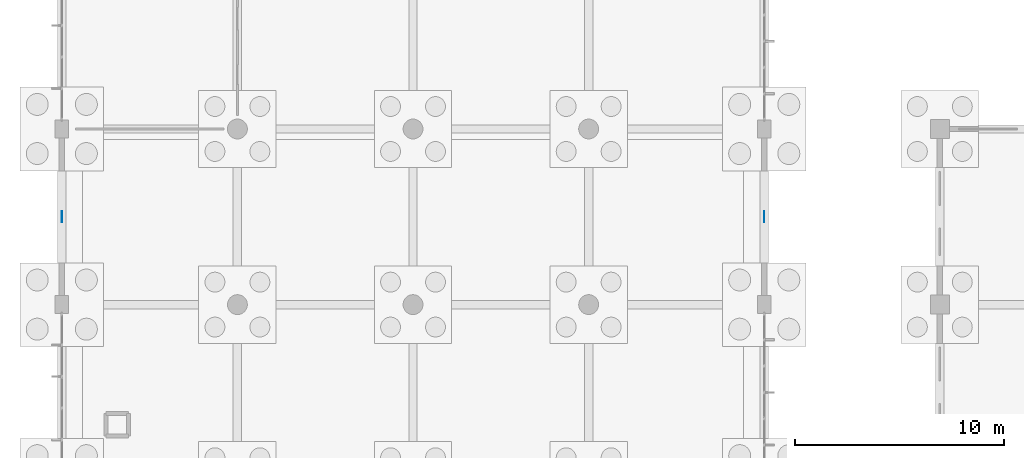
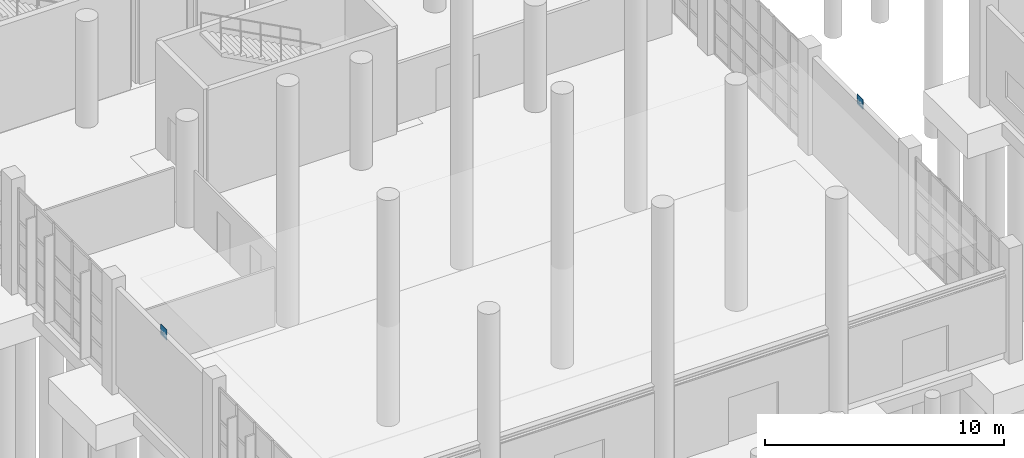
# One storey, part 47 of 83: 2 plates.
"""IFC4 building model written with IfcOpenShell, lengths in metres."""

from ifc_helpers import new_model, si_unit, direction, frame, origin, origin_2d, place, context, subcontext, project, spatial, rectangle, extrude, material, layer, layer_set, type_object, element, save


model = new_model("IFC4")

# Units and contexts
model_context = context("Model", 3, precision=1e-05, world=origin(), true_north=direction((0.0, 1.0)))
body_context = subcontext(model_context, "Body", "Model", "MODEL_VIEW")
ifc_project = project(units=[si_unit("LENGTHUNIT", "METRE"), si_unit("AREAUNIT", "SQUARE_METRE"), si_unit("VOLUMEUNIT", "CUBIC_METRE"), si_unit("PLANEANGLEUNIT", "RADIAN"), si_unit("MASSUNIT", "GRAM", prefix="KILO"), si_unit("THERMODYNAMICTEMPERATUREUNIT", "KELVIN"), si_unit("POWERUNIT", "WATT")], contexts=[model_context])

# Site, building, storey
site_placement = place(None, origin())
site = spatial("IfcSite", under=ifc_project, at=site_placement, CompositionType="ELEMENT")
building_placement = place(site_placement, origin())
building = spatial("IfcBuilding", under=site, at=building_placement, Name="Mavoryth Pier Ferry Terminal", CompositionType="ELEMENT")
storey_placement = place(building_placement, origin())
storey = spatial("IfcBuildingStorey", under=building, at=storey_placement, Name="L00", CompositionType="ELEMENT", Elevation=0.0)

# Plates
ifc_material = material(Name="Steel S355J2", Category="steel")
ifc_layer = layer(ifc_material, 0.02001953125, Name="Steel S355J2", Category="steel")
ifc_layer_set = layer_set([ifc_layer], Name="Steel S355J2 - Plate-Gusset-520x520x20")
plate_type = type_object("IfcPlateType", Name="Plate-Gusset-520x520x20", PredefinedType="SHEET", material=ifc_layer_set)
for number, where, z_axis, x_axis, name in (
    (1, (0.0, 34.60009765625, 4.679931640625), (0.0, 0.0, 1.0), (0.0, 1.0, 0.0), "Steel Node Plate PL-L00-0073"),
    (2, (33.60009765625, 34.60009765625, 4.679931640625), (0.0, 0.0, 1.0), (0.0, 1.0, 0.0), "Steel Node Plate PL-L00-0075"),
):
    element("IfcPlate", number, at=place(storey_placement, frame(where, z_axis=z_axis, x_axis=x_axis)), inside=storey, type_object=plate_type, Name=name, PredefinedType="SHEET", context=body_context, shape_type="SweptSolid", body=[
        extrude(rectangle(XDim=0.52001953125, YDim=0.02001953125, at=origin_2d()), origin(), (0.0, 0.0, 1.0), 0.52001953125),
    ])

save(model, "model.ifc")
